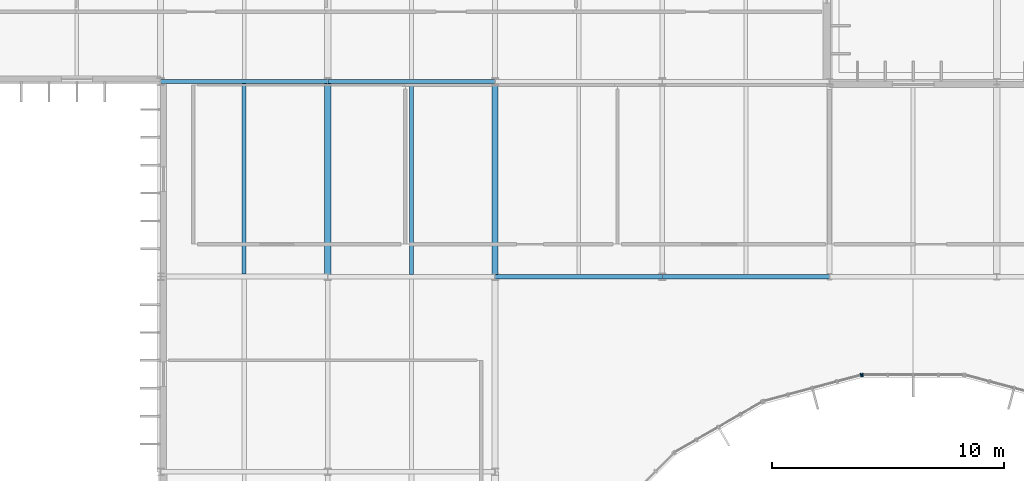
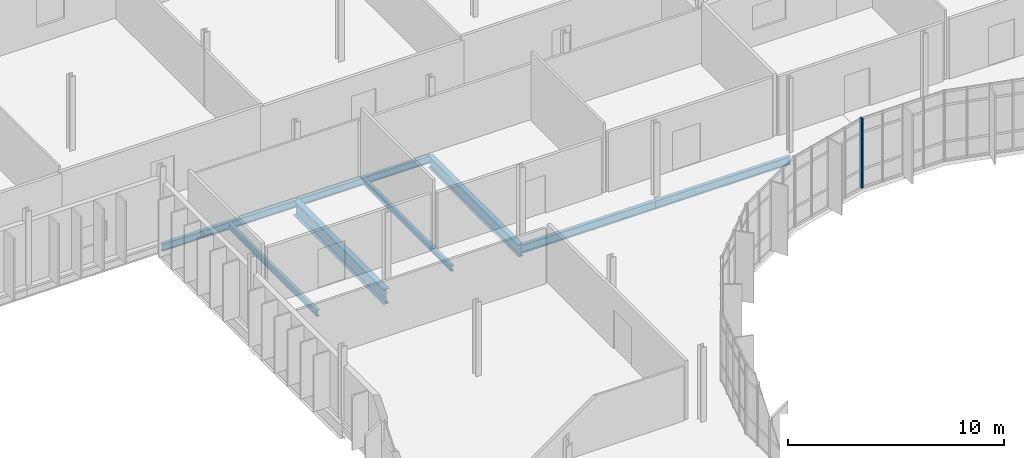
# One storey, part 49 of 99: 8 beams, 2 members, 2 elements without a shape of their own.
"""IFC4 building model written with IfcOpenShell, lengths in metres."""

from ifc_helpers import new_model, si_unit, direction, frame, origin, origin_2d, place, context, subcontext, project, spatial, rectangle, i_section, extrude, material, material_profile, profile_set, type_object, element, aggregate, save


model = new_model("IFC4")

# Units and contexts
model_context = context("Model", 3, precision=1e-05, world=origin(), true_north=direction((0.0, 1.0)))
body_context = subcontext(model_context, "Body", "Model", "MODEL_VIEW")
ifc_project = project(units=[si_unit("LENGTHUNIT", "METRE"), si_unit("AREAUNIT", "SQUARE_METRE"), si_unit("VOLUMEUNIT", "CUBIC_METRE"), si_unit("PLANEANGLEUNIT", "RADIAN"), si_unit("MASSUNIT", "GRAM", prefix="KILO")], contexts=[model_context])

# Site, building, storey
site_placement = place(None, origin())
site = spatial("IfcSite", under=ifc_project, at=site_placement, CompositionType="ELEMENT")
building_placement = place(site_placement, origin())
building = spatial("IfcBuilding", under=site, at=building_placement, Name="Qelthora Terrace Specialist Clinic", CompositionType="ELEMENT")
storey_placement = place(building_placement, frame((0.0, 0.0, 9.0)))
storey = spatial("IfcBuildingStorey", under=building, at=storey_placement, Name="L02", CompositionType="ELEMENT", Elevation=9.0)

# Beams
ifc_material_1 = material(Name="Steel S355", Category="steel")
ifc_material_profile_1 = material_profile(ifc_material_1, i_section(OverallWidth=0.178955078125, OverallDepth=0.409912109375, WebThickness=0.0087890625, FlangeThickness=0.014404296875, FilletRadius=0.011962890625, at=origin_2d()), Name="W410X67")
ifc_profile_set_1 = profile_set([ifc_material_profile_1], Name="Steel S355")
beam_type_1 = type_object("IfcBeamType", Name="BM-W410X67", PredefinedType="BEAM", material=ifc_profile_set_1)
beam_1_placement = place(storey_placement, frame((100.800048828125, 92.39990234375, -0.455078125), z_axis=(1.0, 0.0, 0.0), x_axis=(0.0, 1.0, 0.0)))
element("IfcBeam", 1, at=beam_1_placement, inside=storey, type_object=beam_type_1, Name="Girder BMX-L02-0696", PredefinedType="BEAM", context=body_context, shape_type="SweptSolid", body=[
    extrude(i_section(OverallWidth=0.178955078125, OverallDepth=0.409912109375, WebThickness=0.0087890625, FlangeThickness=0.014404296875, FilletRadius=0.011962890625, at=origin_2d()), origin(), (0.0, 0.0, 1.0), 7.199951171875),
])
ifc_material_profile_2 = material_profile(ifc_material_1, i_section(OverallWidth=0.179931640625, OverallDepth=0.4130859375, WebThickness=0.009765625, FlangeThickness=0.01611328125, FilletRadius=0.011962890625, at=origin_2d()), Name="W410X75")
ifc_profile_set_2 = profile_set([ifc_material_profile_2], Name="Steel S355")
beam_type_2 = type_object("IfcBeamType", Name="BM-W410X75", PredefinedType="BEAM", material=ifc_profile_set_2)
beam_2_placement = place(storey_placement, frame((93.60009765625, 92.39990234375, -0.45654296875), z_axis=(1.0, 0.0, 0.0), x_axis=(0.0, 1.0, 0.0)))
element("IfcBeam", 2, at=beam_2_placement, inside=storey, type_object=beam_type_2, Name="Girder BMX-L02-0695", PredefinedType="BEAM", context=body_context, shape_type="SweptSolid", body=[
    extrude(i_section(OverallWidth=0.179931640625, OverallDepth=0.4130859375, WebThickness=0.009765625, FlangeThickness=0.01611328125, FilletRadius=0.011962890625, at=origin_2d()), origin(), (0.0, 0.0, 1.0), 7.199951171875),
])
ifc_material_profile_3 = material_profile(ifc_material_1, i_section(OverallWidth=0.19091796875, OverallDepth=0.4599609375, WebThickness=0.010009765625, FlangeThickness=0.01611328125, FilletRadius=0.012939453125, at=origin_2d()), Name="W460X82")
ifc_profile_set_3 = profile_set([ifc_material_profile_3], Name="Steel S355")
beam_type_3 = type_object("IfcBeamType", Name="BM-W460X82", PredefinedType="BEAM", material=ifc_profile_set_3)
beam_3_placement = place(storey_placement, frame((115.199951171875, 84.0, -0.47998046875), z_axis=(1.0, 0.0, 0.0), x_axis=(0.0, 1.0, 0.0)))
element("IfcBeam", 3, at=beam_3_placement, inside=storey, type_object=beam_type_3, Name="Girder BMX-L02-0680", PredefinedType="BEAM", context=body_context, shape_type="SweptSolid", body=[
    extrude(i_section(OverallWidth=0.19091796875, OverallDepth=0.4599609375, WebThickness=0.010009765625, FlangeThickness=0.01611328125, FilletRadius=0.012939453125, at=origin_2d()), origin(), (0.0, 0.0, 1.0), 7.199951171875),
])
ifc_material_profile_4 = material_profile(ifc_material_1, i_section(OverallWidth=0.193115234375, OverallDepth=0.466064453125, WebThickness=0.011474609375, FlangeThickness=0.01904296875, FilletRadius=0.012939453125, at=origin_2d()), Name="W460X97")
ifc_profile_set_4 = profile_set([ifc_material_profile_4], Name="Steel S355")
beam_type_4 = type_object("IfcBeamType", Name="BM-W460X97", PredefinedType="BEAM", material=ifc_profile_set_4)
beam_4_placement = place(storey_placement, frame((108.0, 84.0, -0.48291015625), z_axis=(1.0, 0.0, 0.0), x_axis=(0.0, 1.0, 0.0)))
element("IfcBeam", 4, at=beam_4_placement, inside=storey, type_object=beam_type_4, Name="Girder BMX-L02-0679", PredefinedType="BEAM", context=body_context, shape_type="SweptSolid", body=[
    extrude(i_section(OverallWidth=0.193115234375, OverallDepth=0.466064453125, WebThickness=0.011474609375, FlangeThickness=0.01904296875, FilletRadius=0.012939453125, at=origin_2d()), origin(), (0.0, 0.0, 1.0), 7.199951171875),
])
ifc_material_profile_5 = material_profile(ifc_material_1, i_section(OverallWidth=0.256103515625, OverallDepth=0.693115234375, WebThickness=0.014404296875, FlangeThickness=0.023681640625, FilletRadius=0.01806640625, at=origin_2d()), Name="W690X170")
ifc_profile_set_5 = profile_set([ifc_material_profile_5], Name="Steel S355")
beam_type_5 = type_object("IfcBeamType", Name="BM-W690X170", PredefinedType="BEAM", material=ifc_profile_set_5)
beam_5_placement = place(storey_placement, frame((108.0, 84.0, -0.596435546875), z_axis=(0.0, 1.0, 0.0), x_axis=(-1.0, 0.0, 0.0)))
element("IfcBeam", 5, at=beam_5_placement, inside=storey, type_object=beam_type_5, Name="Girder BMY-L02-0863", PredefinedType="BEAM", context=body_context, shape_type="SweptSolid", body=[
    extrude(i_section(OverallWidth=0.256103515625, OverallDepth=0.693115234375, WebThickness=0.014404296875, FlangeThickness=0.023681640625, FilletRadius=0.01806640625, at=origin_2d()), origin(), (0.0, 0.0, 1.0), 8.39990234375),
])
ifc_material_profile_6 = material_profile(ifc_material_1, i_section(OverallWidth=0.2939453125, OverallDepth=0.85107421875, WebThickness=0.01611328125, FlangeThickness=0.02685546875, FilletRadius=0.02001953125, at=origin_2d()), Name="W840X226")
ifc_profile_set_6 = profile_set([ifc_material_profile_6], Name="Steel S355")
beam_type_6 = type_object("IfcBeamType", Name="BM-W840X226", PredefinedType="BEAM", material=ifc_profile_set_6)
beam_6_placement = place(storey_placement, frame((100.800048828125, 84.0, -0.675537109375), z_axis=(0.0, 1.0, 0.0), x_axis=(-1.0, 0.0, 0.0)))
element("IfcBeam", 6, at=beam_6_placement, inside=storey, type_object=beam_type_6, Name="Girder BMY-L02-0851", PredefinedType="BEAM", context=body_context, shape_type="SweptSolid", body=[
    extrude(i_section(OverallWidth=0.2939453125, OverallDepth=0.85107421875, WebThickness=0.01611328125, FlangeThickness=0.02685546875, FilletRadius=0.02001953125, at=origin_2d()), origin(), (0.0, 0.0, 1.0), 8.39990234375),
])

# Curtain wall, member
ifc_material_2 = material(Name="Aluminium anodized bronze", Category="aluminium")
curtain_wall_type = type_object("IfcCurtainWallType", Name="CW-CRTE-UPP", PredefinedType="NOTDEFINED", material=ifc_material_2)
curtain_wall_1_placement = place(storey_placement, origin())
curtain_wall_1 = element("IfcCurtainWall", 7, at=curtain_wall_1_placement, inside=storey, type_object=curtain_wall_type, Name="Curtain wall CW-CE-L02-06", PredefinedType="NOTDEFINED")
ifc_material_profile_7 = material_profile(ifc_material_2, rectangle(XDim=0.06005859375, YDim=0.14990234375, at=origin_2d()), Name="CWM60X150")
ifc_profile_set_7 = profile_set([ifc_material_profile_7], Name="Aluminium anodized bronze")
member_type = type_object("IfcMemberType", Name="CWM-60X150", PredefinedType="MULLION", material=ifc_profile_set_7)
member_1_placement = place(storey_placement, frame((123.8271484375, 79.7763671875, 0.0), z_axis=(0.0, 0.0, 1.0), x_axis=(-1.0, 0.0, 0.0)))
member_1 = element("IfcMember", 8, at=member_1_placement, type_object=member_type, Name="CW-CE-L02-06 mullion 5", PredefinedType="MULLION", context=body_context, shape_type="SweptSolid", body=[
    extrude(rectangle(XDim=0.06005859375, YDim=0.14990234375, at=origin_2d()), origin(), (0.0, 0.0, 1.0), 3.945068359375),
])
aggregate(curtain_wall_1, [member_1])

curtain_wall_2_placement = place(storey_placement, origin())
curtain_wall_2 = element("IfcCurtainWall", 9, at=curtain_wall_2_placement, inside=storey, type_object=curtain_wall_type, Name="Curtain wall CW-CE-L02-07", PredefinedType="NOTDEFINED")
member_2_placement = place(storey_placement, frame((123.7568359375, 79.76708984375, 0.0), z_axis=(0.0, 0.0, 1.0), x_axis=(-0.965925660235, -0.258819664824, 0.0)))
member_2 = element("IfcMember", 10, at=member_2_placement, type_object=member_type, Name="CW-CE-L02-07 mullion 1", PredefinedType="MULLION", context=body_context, shape_type="SweptSolid", body=[
    extrude(rectangle(XDim=0.06005859375, YDim=0.14990234375, at=origin_2d()), origin(), (0.0, 0.0, 1.0), 3.945068359375),
])
aggregate(curtain_wall_2, [member_2])

# Beams
ifc_material_profile_8 = material_profile(ifc_material_1, i_section(OverallWidth=0.1669921875, OverallDepth=0.31689453125, WebThickness=0.007568359375, FlangeThickness=0.01318359375, FilletRadius=0.010009765625, at=origin_2d()), Name="W310X52")
ifc_profile_set_8 = profile_set([ifc_material_profile_8], Name="Steel S355")
beam_type_7 = type_object("IfcBeamType", Name="JST-W310X52", PredefinedType="JOIST", material=ifc_profile_set_8)
beam_7_placement = place(storey_placement, frame((104.39990234375, 84.10498046875, -0.408447265625), z_axis=(0.0, 1.0, 0.0), x_axis=(-1.0, 0.0, 0.0)))
element("IfcBeam", 11, at=beam_7_placement, inside=storey, type_object=beam_type_7, Name="Composite floor joist JST-L02-0195", PredefinedType="JOIST", context=body_context, shape_type="SweptSolid", body=[
    extrude(i_section(OverallWidth=0.1669921875, OverallDepth=0.31689453125, WebThickness=0.007568359375, FlangeThickness=0.01318359375, FilletRadius=0.010009765625, at=origin_2d()), origin(), (0.0, 0.0, 1.0), 8.20556640625),
])
ifc_material_profile_9 = material_profile(ifc_material_1, i_section(OverallWidth=0.172119140625, OverallDepth=0.35791015625, WebThickness=0.0078125, FlangeThickness=0.01318359375, FilletRadius=0.010986328125, at=origin_2d()), Name="W360X57")
ifc_profile_set_9 = profile_set([ifc_material_profile_9], Name="Steel S355")
beam_type_8 = type_object("IfcBeamType", Name="JST-W360X57", PredefinedType="JOIST", material=ifc_profile_set_9)
beam_8_placement = place(storey_placement, frame((97.199951171875, 84.10595703125, -0.428955078125), z_axis=(0.0, 1.0, 0.0), x_axis=(-1.0, 0.0, 0.0)))
element("IfcBeam", 12, at=beam_8_placement, inside=storey, type_object=beam_type_8, Name="Composite floor joist JST-L02-0188", PredefinedType="JOIST", context=body_context, shape_type="SweptSolid", body=[
    extrude(i_section(OverallWidth=0.172119140625, OverallDepth=0.35791015625, WebThickness=0.0078125, FlangeThickness=0.01318359375, FilletRadius=0.010986328125, at=origin_2d()), origin(), (0.0, 0.0, 1.0), 8.2041015625),
])

save(model, "model.ifc")
